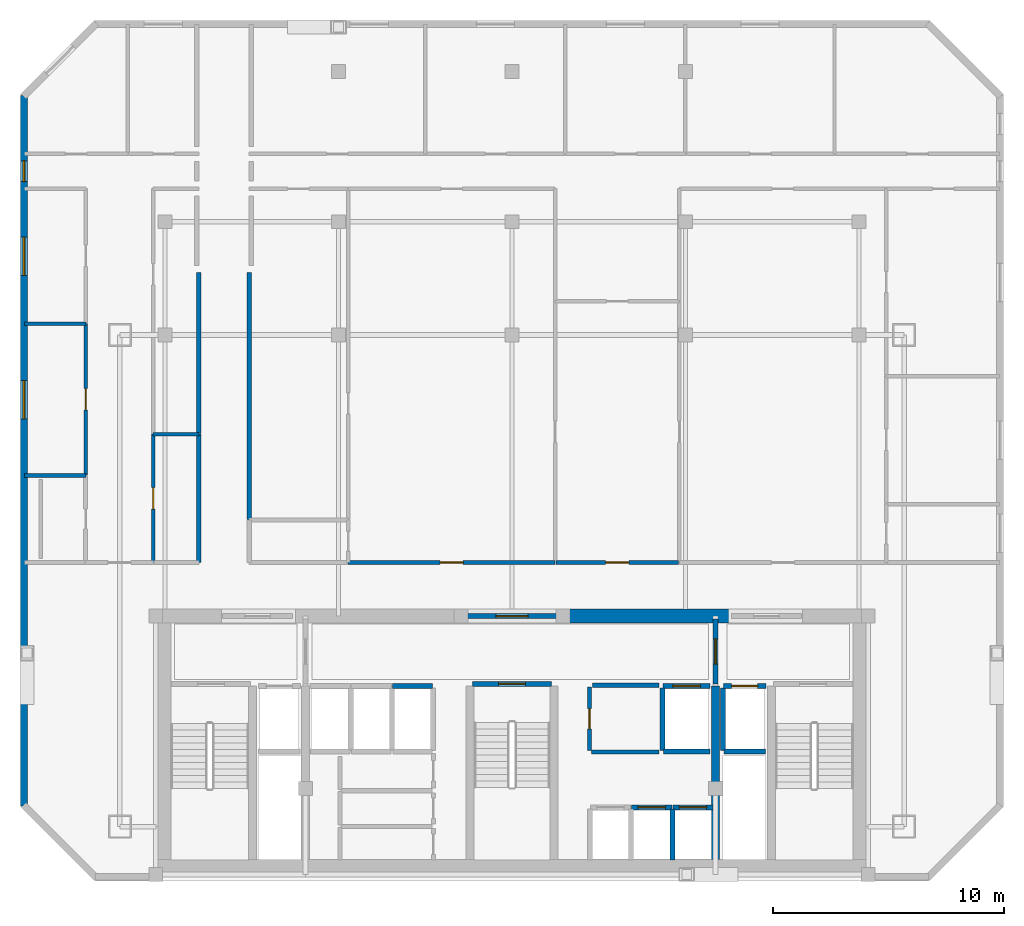
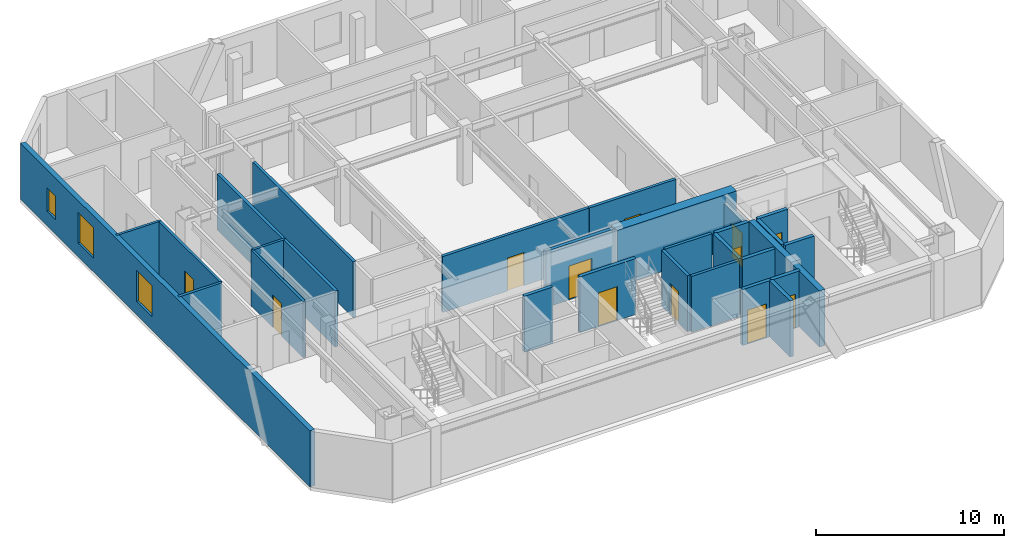
# One storey, part 3 of 7: 29 walls, 12 doors, 3 windows, 15 openings.
"""IFC4 building model written with IfcOpenShell, lengths in metres."""

from ifc_helpers import new_model, si_unit, direction, frame, frame_2d, origin, place, context, subcontext, project, spatial, rectangle, extrude, material, layer, layer_set, type_object, element, fill, save


model = new_model("IFC4")

# Units and contexts
model_context = context("Model", 3, precision=1e-05, world=origin(), true_north=direction((0.0, 1.0)))
body_context = subcontext(model_context, "Body", "Model", "MODEL_VIEW")
ifc_project = project(units=[si_unit("LENGTHUNIT", "METRE"), si_unit("AREAUNIT", "SQUARE_METRE"), si_unit("VOLUMEUNIT", "CUBIC_METRE"), si_unit("PLANEANGLEUNIT", "RADIAN"), si_unit("MASSUNIT", "GRAM", prefix="KILO")], contexts=[model_context])

# Site, building, storey
site_placement = place(None, origin())
site = spatial("IfcSite", under=ifc_project, at=site_placement, CompositionType="ELEMENT")
building_placement = place(site_placement, origin())
building = spatial("IfcBuilding", under=site, at=building_placement, Name="Ventersveld Concourse Tower", CompositionType="ELEMENT")
storey_placement = place(building_placement, frame((0.0, 0.0, 231.10009765625)))
storey = spatial("IfcBuildingStorey", under=building, at=storey_placement, Name="L57", CompositionType="ELEMENT", Elevation=231.10009765625)

# Walls
ifc_material_1 = material(Name="Concrete C50/60", Category="concrete")
ifc_layer_1 = layer(ifc_material_1, 0.35009765625)
ifc_layer_set_1 = layer_set([ifc_layer_1], Name="Concrete C50/60")
wall_type_1 = type_object("IfcWallType", Name="WL-CORE-350U", PredefinedType="SHEAR", material=ifc_layer_set_1)
wall_1_placement = place(storey_placement, frame((37.550048828125, 0.919921875, 0.0), z_axis=(0.0, 0.0, 1.0), x_axis=(0.0, 1.0, 0.0)))
element("IfcWall", 1, at=wall_1_placement, inside=storey, type_object=wall_type_1, Name="L57 Core Internal Shear Web W-SVL-W", PredefinedType="SHEAR", context=body_context, shape_type="SweptSolid", body=[
    extrude(rectangle(XDim=7.5, YDim=0.35009765625, at=frame_2d((3.75, 0.0))), origin(), (0.0, 0.0, 1.0), 3.6298828125),
])
ifc_layer_2 = layer(ifc_material_1, 0.60009765625)
ifc_layer_set_2 = layer_set([ifc_layer_2], Name="Concrete C50/60")
wall_type_2 = type_object("IfcWallType", Name="WL-CORE-600", PredefinedType="SHEAR", material=ifc_layer_set_2)
wall_2_placement = place(storey_placement, frame((30.89990234375, 11.449951171875, 0.0), z_axis=(0.0, 0.0, 1.0), x_axis=(1.0, 0.0, 0.0)))
element("IfcWall", 2, at=wall_2_placement, inside=storey, type_object=wall_type_2, Name="L57 Rear Core North Shear Wall NMR", PredefinedType="SHEAR", context=body_context, shape_type="SweptSolid", body=[
    extrude(rectangle(XDim=7.300048828125, YDim=0.60009765625, at=frame_2d((3.64990234375, 0.0))), origin(), (0.0, 0.0, 1.0), 3.6298828125),
])

# Wall, opening, door
ifc_material_2 = material(Name="Fire-rated autoclaved aerated masonry blockwork", Category="masonry")
ifc_layer_3 = layer(ifc_material_2, 0.179931640625)
ifc_layer_set_3 = layer_set([ifc_layer_3], Name="Fire-rated autoclaved aerated masonry blockwork")
wall_type_3 = type_object("IfcWallType", Name="WL-CORR-180", PredefinedType="PARTITIONING", material=ifc_layer_set_3)
wall_3_placement = place(storey_placement, frame((32.10009765625, 5.64990234375, 0.0), z_axis=(0.0, 0.0, 1.0), x_axis=(0.0, 1.0, 0.0)))
wall_3 = element("IfcWall", 3, at=wall_3_placement, inside=storey, type_object=wall_type_3, Name="L57 Core Passage Wall SP-L57-CBAY1", PredefinedType="PARTITIONING", context=body_context, shape_type="SweptSolid", body=[
    extrude(rectangle(XDim=2.72998046875, YDim=0.179931640625, at=frame_2d((1.364990234375, 0.0))), origin(), (0.0, 0.0, 1.0), 3.6298828125),
])
opening_1_placement = place(wall_3_placement, frame((0.925048828125, 0.0, 0.0)))
opening_1 = element("IfcOpeningElement", 4, at=opening_1_placement, cuts=wall_3, Name="Opening FD5", PredefinedType="OPENING", context=body_context, shape_type="SweptSolid", body=[
    extrude(rectangle(XDim=0.8798828125, YDim=2.050048828125, at=frame_2d((0.43994140625, 1.02490234375))), frame((0.0, 0.10009765625, 0.0), z_axis=(0.0, -1.0, 0.0), x_axis=(1.0, 0.0, 0.0)), (0.0, 0.0, 1.0), 0.199951171875),
])
ifc_material_3 = material(Name="Galvanised painted steel", Category="steel")
door_type_1 = type_object("IfcDoorType", Name="DR-RISER-088", OperationType="NOTDEFINED", PredefinedType="DOOR", material=ifc_material_3)
door_1_placement = place(opening_1_placement, origin())
door_1 = element("IfcDoor", 5, at=door_1_placement, inside=storey, type_object=door_type_1, Name="L57 Core Room Door L57 Core Housekeeping Linen Store (CD-L57-2747)", OperationType="SINGLE_SWING_RIGHT", OverallHeight=2.050048828125, OverallWidth=0.8798828125, PredefinedType="DOOR", context=body_context, shape_type="SweptSolid", body=[
    extrude(rectangle(XDim=0.8798828125, YDim=2.050048828125, at=frame_2d((0.43994140625, 1.02490234375))), frame((0.0, 0.02490234375, 0.0), z_axis=(0.0, -1.0, 0.0), x_axis=(1.0, 0.0, 0.0)), (0.0, 0.0, 1.0), 0.050048828125),
])
fill(opening_1, door_1)

# Walls
wall_4_placement = place(storey_placement, frame((32.219970703125, 8.4599609375, 0.0), z_axis=(0.0, 0.0, 1.0), x_axis=(1.0, 0.0, 0.0)))
element("IfcWall", 6, at=wall_4_placement, inside=storey, type_object=wall_type_3, Name="L57 Core Top Wall SP-L57-CBAY1", PredefinedType="PARTITIONING", context=body_context, shape_type="SweptSolid", body=[
    extrude(rectangle(XDim=2.880126953125, YDim=0.179931640625, at=frame_2d((1.43994140625, 0.0))), origin(), (0.0, 0.0, 1.0), 3.6298828125),
])
wall_5_placement = place(storey_placement, frame((32.179931640625, 5.570068359375, 0.0), z_axis=(0.0, 0.0, 1.0), x_axis=(1.0, 0.0, 0.0)))
element("IfcWall", 7, at=wall_5_placement, inside=storey, type_object=wall_type_3, Name="L57 Core Bot Wall SP-L57-CBAY1", PredefinedType="PARTITIONING", context=body_context, shape_type="SweptSolid", body=[
    extrude(rectangle(XDim=2.920166015625, YDim=0.179931640625, at=frame_2d((1.4599609375, 0.0))), origin(), (0.0, 0.0, 1.0), 3.6298828125),
])
wall_6_placement = place(storey_placement, frame((15.2099609375, 13.764892578125, 0.0), z_axis=(0.0, 0.0, 1.0), x_axis=(0.0, 1.0, 0.0)))
element("IfcWall", 8, at=wall_6_placement, inside=storey, type_object=wall_type_3, Name="L57 Interior Partition SP-L57-COR-SP-L57-57NW-KIT", PredefinedType="PARTITIONING", context=body_context, shape_type="SweptSolid", body=[
    extrude(rectangle(XDim=5.5478515625, YDim=0.179931640625, at=frame_2d((2.77392578125, 0.0))), origin(), (0.0, 0.0, 1.0), 3.6298828125),
])
wall_7_placement = place(storey_placement, frame((15.2099609375, 19.3427734375, 0.0), z_axis=(0.0, 0.0, 1.0), x_axis=(0.0, 1.0, 0.0)))
element("IfcWall", 9, at=wall_7_placement, inside=storey, type_object=wall_type_3, Name="L57 Interior Partition SP-L57-COR-SP-L57-57NW-MEDR1", PredefinedType="PARTITIONING", context=body_context, shape_type="SweptSolid", body=[
    extrude(rectangle(XDim=6.9521484375, YDim=0.179931640625, at=frame_2d((3.47607421875, 0.0))), origin(), (0.0, 0.0, 1.0), 3.6298828125),
])

# Wall, opening, door
wall_8_placement = place(storey_placement, frame((21.6650390625, 13.77001953125, 0.0), z_axis=(0.0, 0.0, 1.0), x_axis=(1.0, 0.0, 0.0)))
wall_8 = element("IfcWall", 10, at=wall_8_placement, inside=storey, type_object=wall_type_3, Name="L57 Interior Partition SP-L57-COR-SP-L57-57N1-WGAL1", PredefinedType="PARTITIONING", context=body_context, shape_type="SweptSolid", body=[
    extrude(rectangle(XDim=8.949951171875, YDim=0.179931640625, at=frame_2d((4.47509765625, 0.0))), origin(), (0.0, 0.0, 1.0), 3.6298828125),
])
opening_2_placement = place(wall_8_placement, frame((3.97509765625, 0.0, 0.0)))
opening_2 = element("IfcOpeningElement", 11, at=opening_2_placement, cuts=wall_8, Name="Opening FD3", PredefinedType="OPENING", context=body_context, shape_type="SweptSolid", body=[
    extrude(rectangle(XDim=1.0, YDim=2.14990234375, at=frame_2d((0.5, 1.074951171875))), frame((0.0, 0.10009765625, 0.0), z_axis=(0.0, -1.0, 0.0), x_axis=(1.0, 0.0, 0.0)), (0.0, 0.0, 1.0), 0.199951171875),
])
ifc_material_4 = material(Name="Solid-core hardwood veneer timber", Category="wood")
door_type_2 = type_object("IfcDoorType", Name="DR-FLAT-100", OperationType="NOTDEFINED", PredefinedType="DOOR", material=ifc_material_4)
door_2_placement = place(opening_2_placement, origin())
door_2 = element("IfcDoor", 12, at=door_2_placement, inside=storey, type_object=door_type_2, Name="L57 Interior Door SP-L57-COR to SP-L57-57N1-WGAL1 (FD-L57-2749)", OperationType="SINGLE_SWING_LEFT", OverallHeight=2.14990234375, OverallWidth=1.0, PredefinedType="DOOR", context=body_context, shape_type="SweptSolid", body=[
    extrude(rectangle(XDim=1.0, YDim=2.14990234375, at=frame_2d((0.5, 1.074951171875))), frame((0.0, 0.02490234375, 0.0), z_axis=(0.0, -1.0, 0.0), x_axis=(1.0, 0.0, 0.0)), (0.0, 0.0, 1.0), 0.050048828125),
])
fill(opening_2, door_2)

wall_9_placement = place(storey_placement, frame((30.64501953125, 13.77001953125, 0.0), z_axis=(0.0, 0.0, 1.0), x_axis=(1.0, 0.0, 0.0)))
wall_9 = element("IfcWall", 13, at=wall_9_placement, inside=storey, type_object=wall_type_3, Name="L57 Interior Partition SP-L57-COR-SP-L57-57N1-FOY", PredefinedType="PARTITIONING", context=body_context, shape_type="SweptSolid", body=[
    extrude(rectangle(XDim=5.31005859375, YDim=0.179931640625, at=frame_2d((2.655029296875, 0.0))), origin(), (0.0, 0.0, 1.0), 3.6298828125),
])
opening_3_placement = place(wall_9_placement, frame((2.155029296875, 0.0, 0.0)))
opening_3 = element("IfcOpeningElement", 14, at=opening_3_placement, cuts=wall_9, Name="Opening FD3", PredefinedType="OPENING", context=body_context, shape_type="SweptSolid", body=[
    extrude(rectangle(XDim=1.0, YDim=2.14990234375, at=frame_2d((0.5, 1.074951171875))), frame((0.0, 0.10009765625, 0.0), z_axis=(0.0, -1.0, 0.0), x_axis=(1.0, 0.0, 0.0)), (0.0, 0.0, 1.0), 0.199951171875),
])
door_3_placement = place(opening_3_placement, origin())
door_3 = element("IfcDoor", 15, at=door_3_placement, inside=storey, type_object=door_type_2, Name="L57 Interior Door SP-L57-COR to SP-L57-57N1-FOY (FD-L57-2751)", OperationType="SINGLE_SWING_LEFT", OverallHeight=2.14990234375, OverallWidth=1.0, PredefinedType="DOOR", context=body_context, shape_type="SweptSolid", body=[
    extrude(rectangle(XDim=1.0, YDim=2.14990234375, at=frame_2d((0.5, 1.074951171875))), frame((0.0, 0.02490234375, 0.0), z_axis=(0.0, -1.0, 0.0), x_axis=(1.0, 0.0, 0.0)), (0.0, 0.0, 1.0), 0.050048828125),
])
fill(opening_3, door_3)

# Walls
wall_10_placement = place(storey_placement, frame((17.389892578125, 15.635009765625, 0.0), z_axis=(0.0, 0.0, 1.0), x_axis=(0.0, 1.0, 0.0)))
element("IfcWall", 16, at=wall_10_placement, inside=storey, type_object=wall_type_3, Name="L57 Interior Partition SP-L57-COR-SP-L57-57N1-MEDL0", PredefinedType="PARTITIONING", context=body_context, shape_type="SweptSolid", body=[
    extrude(rectangle(XDim=10.659912109375, YDim=0.179931640625, at=frame_2d((5.330078125, 0.0))), origin(), (0.0, 0.0, 1.0), 3.6298828125),
])
ifc_layer_4 = layer(ifc_material_2, 0.219970703125)
ifc_layer_set_4 = layer_set([ifc_layer_4], Name="Fire-rated autoclaved aerated masonry blockwork")
wall_type_4 = type_object("IfcWallType", Name="WL-HOIST-220", PredefinedType="SOLIDWALL", material=ifc_layer_set_4)
wall_11_placement = place(storey_placement, frame((37.919921875, 5.590087890625, 0.0), z_axis=(0.0, 0.0, 1.0), x_axis=(1.0, 0.0, 0.0)))
element("IfcWall", 17, at=wall_11_placement, inside=storey, type_object=wall_type_4, Name="L57 Lift Hoistway Back Wall FFL-02", PredefinedType="SOLIDWALL", context=body_context, shape_type="SweptSolid", body=[
    extrude(rectangle(XDim=1.780029296875, YDim=0.219970703125, at=frame_2d((0.89013671875, 0.0))), origin(), (0.0, 0.0, 1.0), 3.6298828125),
])
wall_12_placement = place(storey_placement, frame((37.8798828125, 5.64990234375, 0.0), z_axis=(0.0, 0.0, 1.0), x_axis=(0.0, 1.0, 0.0)))
element("IfcWall", 18, at=wall_12_placement, inside=storey, type_object=wall_type_4, Name="L57 Lift Hoistway Side Wall FFL-02W", PredefinedType="SOLIDWALL", context=body_context, shape_type="SweptSolid", body=[
    extrude(rectangle(XDim=2.7001953125, YDim=0.219970703125, at=frame_2d((1.35009765625, 0.0))), origin(), (0.0, 0.0, 1.0), 3.6298828125),
])

# Wall, opening, door
wall_13_placement = place(storey_placement, frame((37.89990234375, 8.429931640625, 0.0), z_axis=(0.0, 0.0, 1.0), x_axis=(1.0, 0.0, 0.0)))
wall_13 = element("IfcWall", 19, at=wall_13_placement, inside=storey, type_object=wall_type_4, Name="L57 Lift Hoistway Front Wall FFL-02", PredefinedType="SOLIDWALL", context=body_context, shape_type="SweptSolid", body=[
    extrude(rectangle(XDim=1.820068359375, YDim=0.219970703125, at=frame_2d((0.91015625, 0.0))), origin(), (0.0, 0.0, 1.0), 3.6298828125),
])
opening_4_placement = place(wall_13_placement, frame((0.35009765625, 0.0, 0.0)))
opening_4 = element("IfcOpeningElement", 20, at=opening_4_placement, cuts=wall_13, Name="Opening LD1", PredefinedType="OPENING", context=body_context, shape_type="SweptSolid", body=[
    extrude(rectangle(XDim=1.1201171875, YDim=2.25, at=frame_2d((0.56005859375, 1.125))), frame((0.0, 0.1201171875, 0.0), z_axis=(0.0, -1.0, 0.0), x_axis=(1.0, 0.0, 0.0)), (0.0, 0.0, 1.0), 0.239990234375),
])
ifc_material_5 = material(Name="Brushed stainless steel 316", Category="steel")
door_type_3 = type_object("IfcDoorType", Name="LD-FF-112", OperationType="SLIDING_TO_LEFT", PredefinedType="DOOR", material=ifc_material_5)
door_4_placement = place(opening_4_placement, origin())
door_4 = element("IfcDoor", 21, at=door_4_placement, inside=storey, type_object=door_type_3, Name="L57 Lift landing door FFL-02 (LD-L57-FFL-02)", OperationType="SLIDING_TO_RIGHT", OverallHeight=2.25, OverallWidth=1.1201171875, PredefinedType="DOOR", context=body_context, shape_type="SweptSolid", body=[
    extrude(rectangle(XDim=1.1201171875, YDim=2.25, at=frame_2d((0.56005859375, 1.125))), frame((0.0, 0.02490234375, 0.0), z_axis=(0.0, -1.0, 0.0), x_axis=(1.0, 0.0, 0.0)), (0.0, 0.0, 1.0), 0.050048828125),
])
fill(opening_4, door_4)

# Walls
wall_14_placement = place(storey_placement, frame((35.300048828125, 5.590087890625, 0.0), z_axis=(0.0, 0.0, 1.0), x_axis=(1.0, 0.0, 0.0)))
element("IfcWall", 22, at=wall_14_placement, inside=storey, type_object=wall_type_4, Name="L57 Lift Hoistway Back Wall SVL-01", PredefinedType="SOLIDWALL", context=body_context, shape_type="SweptSolid", body=[
    extrude(rectangle(XDim=2.0, YDim=0.219970703125, at=frame_2d((1.0, 0.0))), origin(), (0.0, 0.0, 1.0), 3.6298828125),
])
wall_15_placement = place(storey_placement, frame((35.260009765625, 5.64990234375, 0.0), z_axis=(0.0, 0.0, 1.0), x_axis=(0.0, 1.0, 0.0)))
element("IfcWall", 23, at=wall_15_placement, inside=storey, type_object=wall_type_4, Name="L57 Lift Hoistway Side Wall SVL-01W", PredefinedType="SOLIDWALL", context=body_context, shape_type="SweptSolid", body=[
    extrude(rectangle(XDim=2.7001953125, YDim=0.219970703125, at=frame_2d((1.35009765625, 0.0))), origin(), (0.0, 0.0, 1.0), 3.6298828125),
])

# Wall, opening, door
wall_16_placement = place(storey_placement, frame((35.280029296875, 8.429931640625, 0.0), z_axis=(0.0, 0.0, 1.0), x_axis=(1.0, 0.0, 0.0)))
wall_16 = element("IfcWall", 24, at=wall_16_placement, inside=storey, type_object=wall_type_4, Name="L57 Lift Hoistway Front Wall SVL-01", PredefinedType="SOLIDWALL", context=body_context, shape_type="SweptSolid", body=[
    extrude(rectangle(XDim=2.0400390625, YDim=0.219970703125, at=frame_2d((1.02001953125, 0.0))), origin(), (0.0, 0.0, 1.0), 3.6298828125),
])
opening_5_placement = place(wall_16_placement, frame((0.429931640625, 0.0, 0.0)))
opening_5 = element("IfcOpeningElement", 25, at=opening_5_placement, cuts=wall_16, Name="Opening LD2", PredefinedType="OPENING", context=body_context, shape_type="SweptSolid", body=[
    extrude(rectangle(XDim=1.179931640625, YDim=2.199951171875, at=frame_2d((0.58984375, 1.10009765625))), frame((0.0, 0.1201171875, 0.0), z_axis=(0.0, -1.0, 0.0), x_axis=(1.0, 0.0, 0.0)), (0.0, 0.0, 1.0), 0.239990234375),
])
door_type_4 = type_object("IfcDoorType", Name="LD-PAX-118", OperationType="SLIDING_TO_LEFT", PredefinedType="DOOR", material=ifc_material_5)
door_5_placement = place(opening_5_placement, origin())
door_5 = element("IfcDoor", 26, at=door_5_placement, inside=storey, type_object=door_type_4, Name="L57 Lift landing door SVL-01 (LD-L57-SVL-01)", OperationType="SLIDING_TO_LEFT", OverallHeight=2.199951171875, OverallWidth=1.179931640625, PredefinedType="DOOR", context=body_context, shape_type="SweptSolid", body=[
    extrude(rectangle(XDim=1.179931640625, YDim=2.199951171875, at=frame_2d((0.58984375, 1.10009765625))), frame((0.0, 0.02490234375, 0.0), z_axis=(0.0, -1.0, 0.0), x_axis=(1.0, 0.0, 0.0)), (0.0, 0.0, 1.0), 0.050048828125),
])
fill(opening_5, door_5)

# Wall
wall_17_placement = place(storey_placement, frame((35.679931640625, 0.89990234375, 0.0), z_axis=(0.0, 0.0, 1.0), x_axis=(0.0, 1.0, 0.0)))
element("IfcWall", 27, at=wall_17_placement, inside=storey, type_object=wall_type_4, Name="L57 Lift Hoistway Side Wall PM-02E", PredefinedType="SOLIDWALL", context=body_context, shape_type="SweptSolid", body=[
    extrude(rectangle(XDim=2.2001953125, YDim=0.219970703125, at=frame_2d((1.10009765625, 0.0))), origin(), (0.0, 0.0, 1.0), 3.6298828125),
])

# Wall, opening, door
wall_18_placement = place(storey_placement, frame((33.919921875, 3.179931640625, 0.0), z_axis=(0.0, 0.0, 1.0), x_axis=(1.0, 0.0, 0.0)))
wall_18 = element("IfcWall", 28, at=wall_18_placement, inside=storey, type_object=wall_type_4, Name="L57 Lift Hoistway Front Wall PM-02", PredefinedType="SOLIDWALL", context=body_context, shape_type="SweptSolid", body=[
    extrude(rectangle(XDim=1.739990234375, YDim=0.219970703125, at=frame_2d((0.8701171875, 0.0))), origin(), (0.0, 0.0, 1.0), 3.6298828125),
])
opening_6_placement = place(wall_18_placement, frame((0.280029296875, 0.0, 0.0)))
opening_6 = element("IfcOpeningElement", 29, at=opening_6_placement, cuts=wall_18, Name="Opening LD2", PredefinedType="OPENING", context=body_context, shape_type="SweptSolid", body=[
    extrude(rectangle(XDim=1.179931640625, YDim=2.199951171875, at=frame_2d((0.58984375, 1.10009765625))), frame((0.0, 0.1201171875, 0.0), z_axis=(0.0, -1.0, 0.0), x_axis=(1.0, 0.0, 0.0)), (0.0, 0.0, 1.0), 0.239990234375),
])
door_6_placement = place(opening_6_placement, origin())
door_6 = element("IfcDoor", 30, at=door_6_placement, inside=storey, type_object=door_type_4, Name="L57 Lift landing door PM-02 (LD-L57-PM-02)", OperationType="SLIDING_TO_LEFT", OverallHeight=2.199951171875, OverallWidth=1.179931640625, PredefinedType="DOOR", context=body_context, shape_type="SweptSolid", body=[
    extrude(rectangle(XDim=1.179931640625, YDim=2.199951171875, at=frame_2d((0.58984375, 1.10009765625))), frame((0.0, 0.02490234375, 0.0), z_axis=(0.0, -1.0, 0.0), x_axis=(1.0, 0.0, 0.0)), (0.0, 0.0, 1.0), 0.050048828125),
])
fill(opening_6, door_6)

wall_19_placement = place(storey_placement, frame((35.699951171875, 3.179931640625, 0.0), z_axis=(0.0, 0.0, 1.0), x_axis=(1.0, 0.0, 0.0)))
wall_19 = element("IfcWall", 31, at=wall_19_placement, inside=storey, type_object=wall_type_4, Name="L57 Lift Hoistway Front Wall PM-03", PredefinedType="SOLIDWALL", context=body_context, shape_type="SweptSolid", body=[
    extrude(rectangle(XDim=1.739990234375, YDim=0.219970703125, at=frame_2d((0.8701171875, 0.0))), origin(), (0.0, 0.0, 1.0), 3.6298828125),
])
opening_7_placement = place(wall_19_placement, frame((0.280029296875, 0.0, 0.0)))
opening_7 = element("IfcOpeningElement", 32, at=opening_7_placement, cuts=wall_19, Name="Opening LD2", PredefinedType="OPENING", context=body_context, shape_type="SweptSolid", body=[
    extrude(rectangle(XDim=1.179931640625, YDim=2.199951171875, at=frame_2d((0.58984375, 1.10009765625))), frame((0.0, 0.1201171875, 0.0), z_axis=(0.0, -1.0, 0.0), x_axis=(1.0, 0.0, 0.0)), (0.0, 0.0, 1.0), 0.239990234375),
])
door_7_placement = place(opening_7_placement, origin())
door_7 = element("IfcDoor", 33, at=door_7_placement, inside=storey, type_object=door_type_4, Name="L57 Lift landing door PM-03 (LD-L57-PM-03)", OperationType="SLIDING_TO_RIGHT", OverallHeight=2.199951171875, OverallWidth=1.179931640625, PredefinedType="DOOR", context=body_context, shape_type="SweptSolid", body=[
    extrude(rectangle(XDim=1.179931640625, YDim=2.199951171875, at=frame_2d((0.58984375, 1.10009765625))), frame((0.0, 0.02490234375, 0.0), z_axis=(0.0, -1.0, 0.0), x_axis=(1.0, 0.0, 0.0)), (0.0, 0.0, 1.0), 0.050048828125),
])
fill(opening_7, door_7)

# Wall
wall_20_placement = place(storey_placement, frame((23.580078125, 8.429931640625, 0.0), z_axis=(0.0, 0.0, 1.0), x_axis=(1.0, 0.0, 0.0)))
element("IfcWall", 34, at=wall_20_placement, inside=storey, type_object=wall_type_4, Name="L57 Lift Hoistway Front Wall PH-03", PredefinedType="SOLIDWALL", context=body_context, shape_type="SweptSolid", body=[
    extrude(rectangle(XDim=1.739990234375, YDim=0.219970703125, at=frame_2d((0.8701171875, 0.0))), origin(), (0.0, 0.0, 1.0), 3.6298828125),
])

# Wall, opening, door
wall_21_placement = place(storey_placement, frame((27.0400390625, 8.52001953125, 0.0), z_axis=(0.0, 0.0, 1.0), x_axis=(1.0, 0.0, 0.0)))
wall_21 = element("IfcWall", 35, at=wall_21_placement, inside=storey, type_object=wall_type_4, Name="L57 Escape Stair ST03 Fire Wall", PredefinedType="SOLIDWALL", context=body_context, shape_type="SweptSolid", body=[
    extrude(rectangle(XDim=3.419921875, YDim=0.219970703125, at=frame_2d((1.7099609375, 0.0))), origin(), (0.0, 0.0, 1.0), 3.6298828125),
])
opening_8_placement = place(wall_21_placement, frame((1.135009765625, 0.0, 0.0)))
opening_8 = element("IfcOpeningElement", 36, at=opening_8_placement, cuts=wall_21, Name="Opening FD1", PredefinedType="OPENING", context=body_context, shape_type="SweptSolid", body=[
    extrude(rectangle(XDim=1.14990234375, YDim=2.199951171875, at=frame_2d((0.574951171875, 1.10009765625))), frame((0.0, 0.1201171875, 0.0), z_axis=(0.0, -1.0, 0.0), x_axis=(1.0, 0.0, 0.0)), (0.0, 0.0, 1.0), 0.239990234375),
])
door_type_5 = type_object("IfcDoorType", Name="DR-STAIR-115", OperationType="NOTDEFINED", PredefinedType="DOOR", material=ifc_material_3)
door_8_placement = place(opening_8_placement, origin())
door_8 = element("IfcDoor", 37, at=door_8_placement, inside=storey, type_object=door_type_5, Name="L57 Escape Stair Door ST03 (SD-L57-2738)", OperationType="SINGLE_SWING_LEFT", OverallHeight=2.199951171875, OverallWidth=1.14990234375, PredefinedType="DOOR", context=body_context, shape_type="SweptSolid", body=[
    extrude(rectangle(XDim=1.14990234375, YDim=2.199951171875, at=frame_2d((0.574951171875, 1.10009765625))), frame((0.0, 0.02490234375, 0.0), z_axis=(0.0, -1.0, 0.0), x_axis=(1.0, 0.0, 0.0)), (0.0, 0.0, 1.0), 0.050048828125),
])
fill(opening_8, door_8)

wall_22_placement = place(storey_placement, frame((37.550048828125, 8.52001953125, 0.0), z_axis=(0.0, 0.0, 1.0), x_axis=(0.0, 1.0, 0.0)))
wall_22 = element("IfcWall", 38, at=wall_22_placement, inside=storey, type_object=wall_type_4, Name="L57 Firefighting Lobby Smoke-Stop Wall FFLE-SEP", PredefinedType="SOLIDWALL", context=body_context, shape_type="SweptSolid", body=[
    extrude(rectangle(XDim=2.800048828125, YDim=0.219970703125, at=frame_2d((1.39990234375, 0.0))), origin(), (0.0, 0.0, 1.0), 3.08544921875),
])
opening_9_placement = place(wall_22_placement, frame((0.85009765625, 0.0, 0.0)))
opening_9 = element("IfcOpeningElement", 39, at=opening_9_placement, cuts=wall_22, Name="Opening FD2", PredefinedType="OPENING", context=body_context, shape_type="SweptSolid", body=[
    extrude(rectangle(XDim=1.10009765625, YDim=2.199951171875, at=frame_2d((0.550048828125, 1.10009765625))), frame((0.0, 0.1201171875, 0.0), z_axis=(0.0, -1.0, 0.0), x_axis=(1.0, 0.0, 0.0)), (0.0, 0.0, 1.0), 0.239990234375),
])
door_type_6 = type_object("IfcDoorType", Name="DR-FFL-110", OperationType="NOTDEFINED", PredefinedType="DOOR", material=ifc_material_3)
door_9_placement = place(opening_9_placement, origin())
door_9 = element("IfcDoor", 40, at=door_9_placement, inside=storey, type_object=door_type_6, Name="L57 Firefighting Lobby Door FFLE-SEP (FD-L57-2740)", OperationType="SINGLE_SWING_RIGHT", OverallHeight=2.199951171875, OverallWidth=1.10009765625, PredefinedType="DOOR", context=body_context, shape_type="SweptSolid", body=[
    extrude(rectangle(XDim=1.10009765625, YDim=2.199951171875, at=frame_2d((0.550048828125, 1.10009765625))), frame((0.0, 0.02490234375, 0.0), z_axis=(0.0, -1.0, 0.0), x_axis=(1.0, 0.0, 0.0)), (0.0, 0.0, 1.0), 0.050048828125),
])
fill(opening_9, door_9)

wall_23_placement = place(storey_placement, frame((26.6298828125, 11.449951171875, 0.0), z_axis=(0.0, 0.0, 1.0), x_axis=(1.0, 0.0, 0.0)))
wall_23 = element("IfcWall", 41, at=wall_23_placement, inside=storey, type_object=wall_type_4, Name="L57 Core North Fire Portal PLOB-OUT", PredefinedType="SOLIDWALL", context=body_context, shape_type="SweptSolid", body=[
    extrude(rectangle(XDim=4.240234375, YDim=0.219970703125, at=frame_2d((2.1201171875, 0.0))), origin(), (0.0, 0.0, 1.0), 3.6298828125),
])
opening_10_placement = place(wall_23_placement, frame((1.419921875, 0.0, 0.0)))
opening_10 = element("IfcOpeningElement", 42, at=opening_10_placement, cuts=wall_23, Name="Opening FD4", PredefinedType="OPENING", context=body_context, shape_type="SweptSolid", body=[
    extrude(rectangle(XDim=1.39990234375, YDim=2.199951171875, at=frame_2d((0.699951171875, 1.10009765625))), frame((0.0, 0.1201171875, 0.0), z_axis=(0.0, -1.0, 0.0), x_axis=(1.0, 0.0, 0.0)), (0.0, 0.0, 1.0), 0.239990234375),
])
door_type_7 = type_object("IfcDoorType", Name="DR-PLANT-140", OperationType="DOUBLE_DOOR_SINGLE_SWING", PredefinedType="DOOR", material=ifc_material_3)
door_10_placement = place(opening_10_placement, origin())
door_10 = element("IfcDoor", 43, at=door_10_placement, inside=storey, type_object=door_type_7, Name="L57 Core Lobby Fire Door PLOB-OUT (FD-L57-2742)", OperationType="DOUBLE_DOOR_SINGLE_SWING", OverallHeight=2.199951171875, OverallWidth=1.39990234375, PredefinedType="DOOR", context=body_context, shape_type="SweptSolid", body=[
    extrude(rectangle(XDim=1.39990234375, YDim=2.199951171875, at=frame_2d((0.699951171875, 1.10009765625))), frame((0.0, 0.02490234375, 0.0), z_axis=(0.0, -1.0, 0.0), x_axis=(1.0, 0.0, 0.0)), (0.0, 0.0, 1.0), 0.050048828125),
])
fill(opening_10, door_10)

ifc_material_6 = material(Name="Autoclaved aerated masonry blockwork", Category="masonry")
ifc_layer_5 = layer(ifc_material_6, 0.14990234375)
ifc_layer_set_5 = layer_set([ifc_layer_5], Name="Autoclaved aerated masonry blockwork")
wall_type_5 = type_object("IfcWallType", Name="WL-INT-150", PredefinedType="PARTITIONING", material=ifc_layer_set_5)
wall_24_placement = place(storey_placement, frame((10.31787109375, 17.556884765625, 0.0), z_axis=(0.0, 0.0, 1.0), x_axis=(0.0, 1.0, 0.0)))
wall_24 = element("IfcWall", 44, at=wall_24_placement, inside=storey, type_object=wall_type_5, Name="L57 Interior Partition SP-L57-57NW-LIV-SP-L57-57NW-MEDL0", PredefinedType="PARTITIONING", context=body_context, shape_type="SweptSolid", body=[
    extrude(rectangle(XDim=6.535888671875, YDim=0.14990234375, at=frame_2d((3.26806640625, 0.0))), origin(), (0.0, 0.0, 1.0), 3.6298828125),
])
opening_11_placement = place(wall_24_placement, frame((2.80810546875, 0.0, 0.0)))
opening_11 = element("IfcOpeningElement", 45, at=opening_11_placement, cuts=wall_24, Name="Opening ID1", PredefinedType="OPENING", context=body_context, shape_type="SweptSolid", body=[
    extrude(rectangle(XDim=0.919921875, YDim=2.10009765625, at=frame_2d((0.4599609375, 1.050048828125))), frame((0.0, 0.0849609375, 0.0), z_axis=(0.0, -1.0, 0.0), x_axis=(1.0, 0.0, 0.0)), (0.0, 0.0, 1.0), 0.169921875),
])
door_type_8 = type_object("IfcDoorType", Name="DR-ROOM-092", OperationType="NOTDEFINED", PredefinedType="DOOR", material=ifc_material_4)
door_11_placement = place(opening_11_placement, origin())
door_11 = element("IfcDoor", 46, at=door_11_placement, inside=storey, type_object=door_type_8, Name="L57 Interior Door SP-L57-57NW-LIV to SP-L57-57NW-MEDL0 (D-L57-2753)", OperationType="SINGLE_SWING_LEFT", OverallHeight=2.10009765625, OverallWidth=0.919921875, PredefinedType="DOOR", context=body_context, shape_type="SweptSolid", body=[
    extrude(rectangle(XDim=0.919921875, YDim=2.10009765625, at=frame_2d((0.4599609375, 1.050048828125))), frame((0.0, 0.02490234375, 0.0), z_axis=(0.0, -1.0, 0.0), x_axis=(1.0, 0.0, 0.0)), (0.0, 0.0, 1.0), 0.050048828125),
])
fill(opening_11, door_11)

wall_25_placement = place(storey_placement, frame((13.23828125, 13.764892578125, 0.0), z_axis=(0.0, 0.0, 1.0), x_axis=(0.0, 1.0, 0.0)))
wall_25 = element("IfcWall", 47, at=wall_25_placement, inside=storey, type_object=wall_type_5, Name="L57 Interior Partition SP-L57-57NW-LIV-SP-L57-57NW-KIT", PredefinedType="PARTITIONING", context=body_context, shape_type="SweptSolid", body=[
    extrude(rectangle(XDim=5.5478515625, YDim=0.14990234375, at=frame_2d((2.77392578125, 0.0))), origin(), (0.0, 0.0, 1.0), 3.6298828125),
])
opening_12_placement = place(wall_25_placement, frame((2.313720703125, 0.0, 0.0)))
opening_12 = element("IfcOpeningElement", 48, at=opening_12_placement, cuts=wall_25, Name="Opening ID1", PredefinedType="OPENING", context=body_context, shape_type="SweptSolid", body=[
    extrude(rectangle(XDim=0.919921875, YDim=2.10009765625, at=frame_2d((0.4599609375, 1.050048828125))), frame((0.0, 0.0849609375, 0.0), z_axis=(0.0, -1.0, 0.0), x_axis=(1.0, 0.0, 0.0)), (0.0, 0.0, 1.0), 0.169921875),
])
door_12_placement = place(opening_12_placement, origin())
door_12 = element("IfcDoor", 49, at=door_12_placement, inside=storey, type_object=door_type_8, Name="L57 Interior Door SP-L57-57NW-LIV to SP-L57-57NW-KIT (D-L57-2755)", OperationType="SINGLE_SWING_LEFT", OverallHeight=2.10009765625, OverallWidth=0.919921875, PredefinedType="DOOR", context=body_context, shape_type="SweptSolid", body=[
    extrude(rectangle(XDim=0.919921875, YDim=2.10009765625, at=frame_2d((0.4599609375, 1.050048828125))), frame((0.0, 0.02490234375, 0.0), z_axis=(0.0, -1.0, 0.0), x_axis=(1.0, 0.0, 0.0)), (0.0, 0.0, 1.0), 0.050048828125),
])
fill(opening_12, door_12)

# Walls
wall_26_placement = place(storey_placement, frame((7.672607421875, 24.087890625, 0.0), z_axis=(0.0, 0.0, 1.0), x_axis=(1.0, 0.0, 0.0)))
element("IfcWall", 50, at=wall_26_placement, inside=storey, type_object=wall_type_5, Name="L57 Interior Partition SP-L57-57NW-MEDL0-SP-L57-57NW-OFFL2", PredefinedType="PARTITIONING", context=body_context, shape_type="SweptSolid", body=[
    extrude(rectangle(XDim=2.650146484375, YDim=0.14990234375, at=frame_2d((1.3251953125, 0.0))), origin(), (0.0, 0.0, 1.0), 3.6298828125),
])
wall_27_placement = place(storey_placement, frame((13.233154296875, 19.3076171875, 0.0), z_axis=(0.0, 0.0, 1.0), x_axis=(1.0, 0.0, 0.0)))
element("IfcWall", 51, at=wall_27_placement, inside=storey, type_object=wall_type_5, Name="L57 Interior Partition SP-L57-57NW-KIT-SP-L57-57NW-MEDR1", PredefinedType="PARTITIONING", context=body_context, shape_type="SweptSolid", body=[
    extrude(rectangle(XDim=1.98193359375, YDim=0.14990234375, at=frame_2d((0.990966796875, 0.0))), origin(), (0.0, 0.0, 1.0), 3.6298828125),
])

# Wall, openings, windows
ifc_material_7 = material(Name="Precast concrete C45/55", Category="concrete")
ifc_layer_6 = layer(ifc_material_7, 0.300048828125)
ifc_layer_set_6 = layer_set([ifc_layer_6], Name="Precast concrete C45/55")
wall_type_6 = type_object("IfcWallType", Name="WL-PREC-300", PredefinedType="SOLIDWALL", material=ifc_layer_set_6)
wall_28_placement = place(storey_placement, frame((7.64990234375, 33.9599609375, 0.0), z_axis=(0.0, 0.0, 1.0), x_axis=(0.0, -1.0, 0.0)))
wall_28 = element("IfcWall", 52, at=wall_28_placement, inside=storey, type_object=wall_type_6, Name="L57 Highveld Precast Facade Wall E07", PredefinedType="SOLIDWALL", context=body_context, shape_type="SweptSolid", body=[
    extrude(rectangle(XDim=30.719970703125, YDim=0.300048828125, at=frame_2d((15.35986328125, 0.0))), origin(), (0.0, 0.0, 1.0), 3.6298828125),
])
opening_13_placement = place(wall_28_placement, frame((2.830078125, 0.0, 0.949951171875)))
opening_13 = element("IfcOpeningElement", 53, at=opening_13_placement, cuts=wall_28, Name="Opening W4", PredefinedType="OPENING", context=body_context, shape_type="SweptSolid", body=[
    extrude(rectangle(XDim=0.89990234375, YDim=1.5, at=frame_2d((0.449951171875, 0.75))), frame((0.0, 0.16015625, 0.0), z_axis=(0.0, -1.0, 0.0), x_axis=(1.0, 0.0, 0.0)), (0.0, 0.0, 1.0), 0.320068359375),
])
opening_14_placement = place(wall_28_placement, frame((12.330078125, 0.0, 0.8798828125)))
opening_14 = element("IfcOpeningElement", 54, at=opening_14_placement, cuts=wall_28, Name="Opening W6", PredefinedType="OPENING", context=body_context, shape_type="SweptSolid", body=[
    extrude(rectangle(XDim=1.64990234375, YDim=2.0, at=frame_2d((0.824951171875, 1.0))), frame((0.0, 0.16015625, 0.0), z_axis=(0.0, -1.0, 0.0), x_axis=(1.0, 0.0, 0.0)), (0.0, 0.0, 1.0), 0.320068359375),
])
opening_15_placement = place(wall_28_placement, frame((6.126220703125, 0.0, 0.8798828125)))
opening_15 = element("IfcOpeningElement", 55, at=opening_15_placement, cuts=wall_28, Name="Opening W6", PredefinedType="OPENING", context=body_context, shape_type="SweptSolid", body=[
    extrude(rectangle(XDim=1.64990234375, YDim=2.0, at=frame_2d((0.824951171875, 1.0))), frame((0.0, 0.16015625, 0.0), z_axis=(0.0, -1.0, 0.0), x_axis=(1.0, 0.0, 0.0)), (0.0, 0.0, 1.0), 0.320068359375),
])
ifc_material_8 = material(Name="Tempered acoustic Low-E IGU", Category="glass")
window_type_1 = type_object("IfcWindowType", Name="WIN-090x150", PartitioningType="SINGLE_PANEL", PredefinedType="WINDOW", material=ifc_material_8)
window_1_placement = place(opening_13_placement, origin())
window_1 = element("IfcWindow", 56, at=window_1_placement, inside=storey, type_object=window_type_1, Name="L57 Punched Low-E Window W-0813", OverallHeight=1.5, OverallWidth=0.89990234375, PartitioningType="SINGLE_PANEL", PredefinedType="WINDOW", context=body_context, shape_type="SweptSolid", body=[
    extrude(rectangle(XDim=0.89990234375, YDim=1.5, at=frame_2d((0.449951171875, 0.75))), frame((0.0, 0.030029296875, 0.0), z_axis=(0.0, -1.0, 0.0), x_axis=(1.0, 0.0, 0.0)), (0.0, 0.0, 1.0), 0.06005859375),
])
fill(opening_13, window_1)
window_type_2 = type_object("IfcWindowType", Name="WIN-165x200", PartitioningType="SINGLE_PANEL", PredefinedType="WINDOW", material=ifc_material_8)
window_2_placement = place(opening_14_placement, origin())
window_2 = element("IfcWindow", 57, at=window_2_placement, inside=storey, type_object=window_type_2, Name="L57 Punched Low-E Window W-0814", OverallHeight=2.0, OverallWidth=1.64990234375, PartitioningType="SINGLE_PANEL", PredefinedType="WINDOW", context=body_context, shape_type="SweptSolid", body=[
    extrude(rectangle(XDim=1.64990234375, YDim=2.0, at=frame_2d((0.824951171875, 1.0))), frame((0.0, 0.030029296875, 0.0), z_axis=(0.0, -1.0, 0.0), x_axis=(1.0, 0.0, 0.0)), (0.0, 0.0, 1.0), 0.06005859375),
])
fill(opening_14, window_2)
window_3_placement = place(opening_15_placement, origin())
window_3 = element("IfcWindow", 58, at=window_3_placement, inside=storey, type_object=window_type_2, Name="L57 Punched Low-E Window W-0815", OverallHeight=2.0, OverallWidth=1.64990234375, PartitioningType="SINGLE_PANEL", PredefinedType="WINDOW", context=body_context, shape_type="SweptSolid", body=[
    extrude(rectangle(XDim=1.64990234375, YDim=2.0, at=frame_2d((0.824951171875, 1.0))), frame((0.0, 0.030029296875, 0.0), z_axis=(0.0, -1.0, 0.0), x_axis=(1.0, 0.0, 0.0)), (0.0, 0.0, 1.0), 0.06005859375),
])
fill(opening_15, window_3)

# Wall
ifc_layer_7 = layer(ifc_material_6, 0.1650390625)
ifc_layer_set_7 = layer_set([ifc_layer_7], Name="Autoclaved aerated masonry blockwork")
wall_type_7 = type_object("IfcWallType", Name="WL-WET-165", PredefinedType="PLUMBINGWALL", material=ifc_layer_set_7)
wall_29_placement = place(storey_placement, frame((7.672607421875, 17.521728515625, 0.0), z_axis=(0.0, 0.0, 1.0), x_axis=(1.0, 0.0, 0.0)))
element("IfcWall", 59, at=wall_29_placement, inside=storey, type_object=wall_type_7, Name="L57 Interior Partition SP-L57-57NW-BATH-SP-L57-57NW-MEDL0", PredefinedType="PLUMBINGWALL", context=body_context, shape_type="SweptSolid", body=[
    extrude(rectangle(XDim=2.650146484375, YDim=0.1650390625, at=frame_2d((1.3251953125, 0.0))), origin(), (0.0, 0.0, 1.0), 3.6298828125),
])

save(model, "model.ifc")
